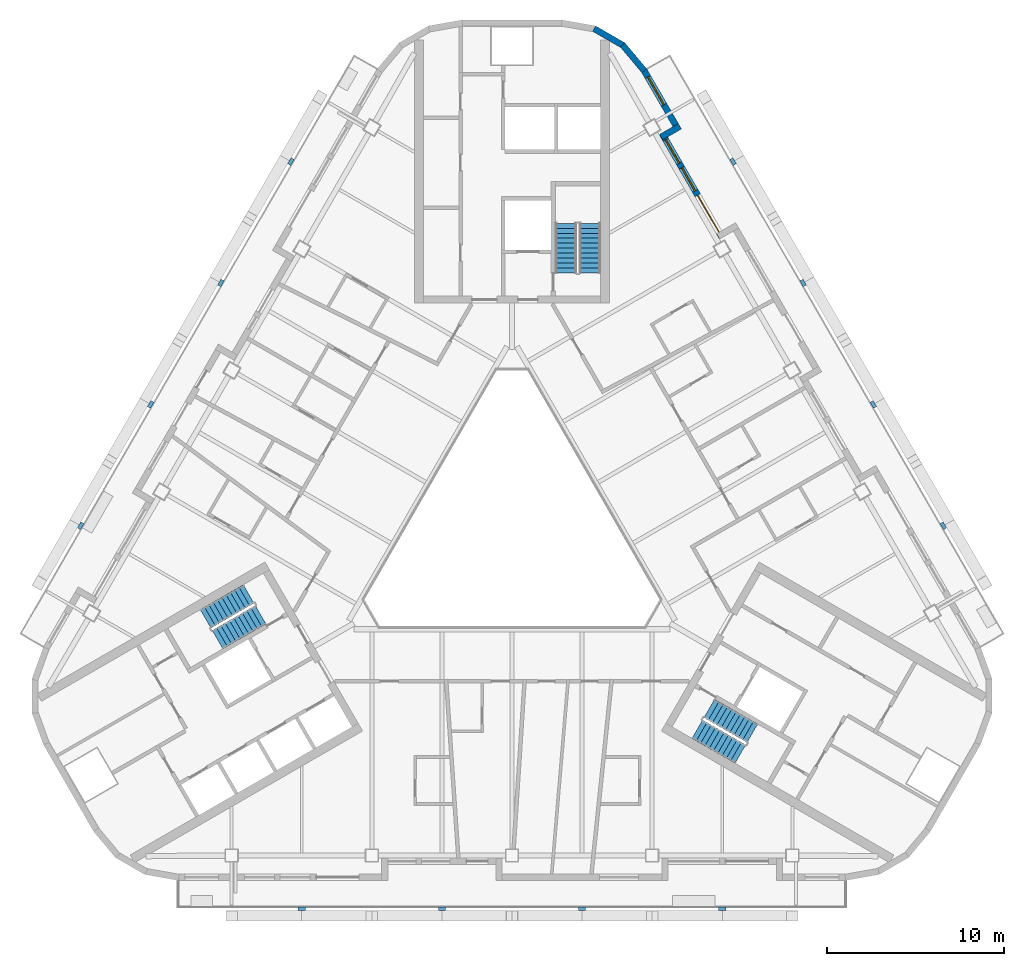
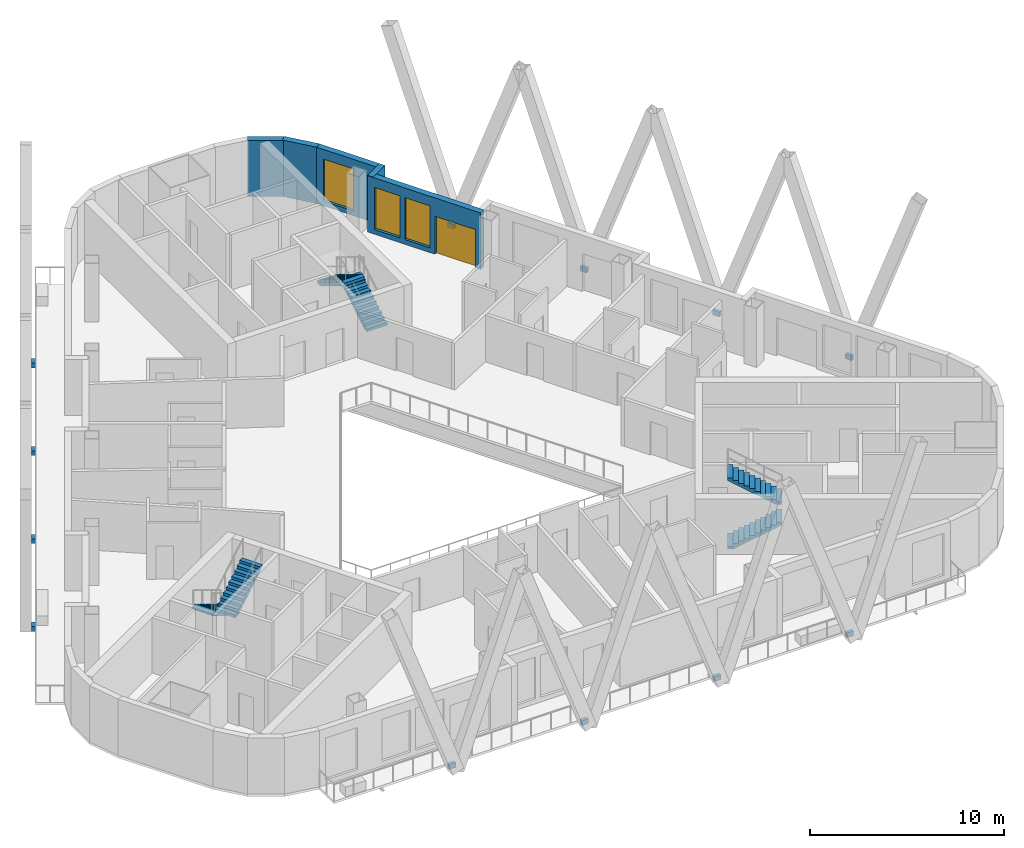
# One storey, part 8 of 14: 12 discrete accessories, 6 stair flights, 5 walls, 3 windows, 1 door, 4 openings, 3 elements without a shape of their own.
"""IFC4 building model written with IfcOpenShell, lengths in metres."""

from ifc_helpers import new_model, si_unit, direction, frame, frame_2d, origin, origin_2d, place, context, subcontext, project, spatial, polyline, rectangle, outline, extrude, material, layer, layer_set, type_object, element, fill, aggregate, save


model = new_model("IFC4")

# Units and contexts
model_context = context("Model", 3, precision=1e-05, world=origin(), true_north=direction((0.0, 1.0)))
body_context = subcontext(model_context, "Body", "Model", "MODEL_VIEW")
ifc_project = project(units=[si_unit("LENGTHUNIT", "METRE"), si_unit("AREAUNIT", "SQUARE_METRE"), si_unit("VOLUMEUNIT", "CUBIC_METRE"), si_unit("PLANEANGLEUNIT", "RADIAN"), si_unit("MASSUNIT", "GRAM", prefix="KILO")], contexts=[model_context])

# Site, building, storey
site_placement = place(None, origin())
site = spatial("IfcSite", under=ifc_project, at=site_placement, CompositionType="ELEMENT")
building_placement = place(site_placement, origin())
building = spatial("IfcBuilding", under=site, at=building_placement, Name="Apuvela Tower Hotel", CompositionType="ELEMENT")
storey_placement = place(building_placement, frame((0.0, 0.0, 202.10009765625)))
storey = spatial("IfcBuildingStorey", under=building, at=storey_placement, Name="L49", CompositionType="ELEMENT", Elevation=202.10009765625)

# Wall, openings, door, windows
ifc_material_1 = material(Name="Concrete C40/50, dark pigmented precast panel", Category="concrete")
ifc_layer = layer(ifc_material_1, 0.35009765625)
ifc_layer_set = layer_set([ifc_layer], Name="ENV-WALL-350")
wall_type = type_object("IfcWallType", Name="ENV-WALL-350", PredefinedType="SOLIDWALL", material=ifc_layer_set)
wall_1_placement = place(storey_placement, frame((11.8291015625, 16.621337890625, 0.0), z_axis=(0.0, 0.0, 1.0), x_axis=(-0.500003597184, 0.866023326939, 0.0)))
wall_1 = element("IfcWall", 1, at=wall_1_placement, inside=storey, type_object=wall_type, Name="External wall L49-39", PredefinedType="SOLIDWALL", context=body_context, shape_type="SweptSolid", body=[
    extrude(rectangle(XDim=6.740234375, YDim=0.35009765625, at=frame_2d((3.3701171875, 0.0))), origin(), (0.0, 0.0, 1.0), 3.5498046875),
])
opening_1_placement = place(wall_1_placement, frame((0.320068359375, 0.0, 0.0)))
opening_1 = element("IfcOpeningElement", 2, at=opening_1_placement, cuts=wall_1, Name="Opening BD24", PredefinedType="OPENING", context=body_context, shape_type="SweptSolid", body=[
    extrude(rectangle(XDim=2.39990234375, YDim=2.39990234375, at=frame_2d((1.199951171875, 1.199951171875))), frame((0.0, 0.18505859375, 0.0), z_axis=(0.0, -1.0, 0.0), x_axis=(1.0, 0.0, 0.0)), (0.0, 0.0, 1.0), 0.3701171875),
])
opening_2_placement = place(wall_1_placement, frame((3.02001953125, 0.0, 0.300048828125)))
opening_2 = element("IfcOpeningElement", 3, at=opening_2_placement, cuts=wall_1, Name="Opening WN15", PredefinedType="OPENING", context=body_context, shape_type="SweptSolid", body=[
    extrude(rectangle(XDim=1.5, YDim=2.64990234375, at=frame_2d((0.75, 1.324951171875))), frame((0.0, 0.18505859375, 0.0), z_axis=(0.0, -1.0, 0.0), x_axis=(1.0, 0.0, 0.0)), (0.0, 0.0, 1.0), 0.3701171875),
])
opening_3_placement = place(wall_1_placement, frame((4.820068359375, 0.0, 0.300048828125)))
opening_3 = element("IfcOpeningElement", 4, at=opening_3_placement, cuts=wall_1, Name="Opening WN15", PredefinedType="OPENING", context=body_context, shape_type="SweptSolid", body=[
    extrude(rectangle(XDim=1.5, YDim=2.64990234375, at=frame_2d((0.75, 1.324951171875))), frame((0.0, 0.18505859375, 0.0), z_axis=(0.0, -1.0, 0.0), x_axis=(1.0, 0.0, 0.0)), (0.0, 0.0, 1.0), 0.3701171875),
])
ifc_material_2 = material(Name="Aluminium 6063-T6, dark bronze anodised frame with dark tinted laminated glass", Category="aluminium")
door_type = type_object("IfcDoorType", Name="ENV-DOOR-BALCONY-2400x2400", OperationType="SLIDING_TO_LEFT", PredefinedType="DOOR", material=ifc_material_2)
door_placement = place(opening_1_placement, frame((2.39990234375, 0.0, 0.0), z_axis=(0.0, 0.0, 1.0), x_axis=(-1.0, 0.0, 0.0)))
door = element("IfcDoor", 5, at=door_placement, inside=storey, type_object=door_type, Name="Balcony door BD24", OperationType="SLIDING_TO_LEFT", OverallHeight=2.39990234375, OverallWidth=2.39990234375, PredefinedType="DOOR", context=body_context, shape_type="SweptSolid", body=[
    extrude(rectangle(XDim=2.39990234375, YDim=2.39990234375, at=frame_2d((1.199951171875, 1.199951171875))), frame((0.0, 0.02490234375, 0.0), z_axis=(0.0, -1.0, 0.0), x_axis=(1.0, 0.0, 0.0)), (0.0, 0.0, 1.0), 0.050048828125),
])
fill(opening_1, door)
ifc_material_3 = material(Name="Glass, dark tinted laminated insulated glazing unit", Category="glass")
window_type_1 = type_object("IfcWindowType", Name="ENV-WIN-1500x2650", PartitioningType="SINGLE_PANEL", PredefinedType="WINDOW", material=ifc_material_3)
window_1_placement = place(opening_2_placement, origin())
window_1 = element("IfcWindow", 6, at=window_1_placement, inside=storey, type_object=window_type_1, Name="Window WN15", OverallHeight=2.64990234375, OverallWidth=1.5, PartitioningType="SINGLE_PANEL", PredefinedType="WINDOW", context=body_context, shape_type="SweptSolid", body=[
    extrude(rectangle(XDim=1.5, YDim=2.64990234375, at=frame_2d((0.75, 1.324951171875))), frame((0.0, 0.030029296875, 0.0), z_axis=(0.0, -1.0, 0.0), x_axis=(1.0, 0.0, 0.0)), (0.0, 0.0, 1.0), 0.06005859375),
])
fill(opening_2, window_1)
window_2_placement = place(opening_3_placement, origin())
window_2 = element("IfcWindow", 7, at=window_2_placement, inside=storey, type_object=window_type_1, Name="Window WN15", OverallHeight=2.64990234375, OverallWidth=1.5, PartitioningType="SINGLE_PANEL", PredefinedType="WINDOW", context=body_context, shape_type="SweptSolid", body=[
    extrude(rectangle(XDim=1.5, YDim=2.64990234375, at=frame_2d((0.75, 1.324951171875))), frame((0.0, 0.030029296875, 0.0), z_axis=(0.0, -1.0, 0.0), x_axis=(1.0, 0.0, 0.0)), (0.0, 0.0, 1.0), 0.06005859375),
])
fill(opening_3, window_2)

# Wall
wall_2_placement = place(storey_placement, frame((8.406005859375, 22.26025390625, 0.0), z_axis=(0.0, 0.0, 1.0), x_axis=(0.865955602162, 0.500120880472, 0.0)))
element("IfcWall", 8, at=wall_2_placement, inside=storey, type_object=wall_type, Name="External wall L49-40", PredefinedType="SOLIDWALL", context=body_context, shape_type="SweptSolid", body=[
    extrude(rectangle(XDim=1.219970703125, YDim=0.35009765625, at=frame_2d((0.60986328125, 0.0))), origin(), (0.0, 0.0, 1.0), 3.5498046875),
])

# Wall, opening, window
wall_3_placement = place(storey_placement, frame((9.3984375, 22.631103515625, 0.0), z_axis=(0.0, 0.0, 1.0), x_axis=(-0.499954521343, 0.866051659307, 0.0)))
wall_3 = element("IfcWall", 9, at=wall_3_placement, inside=storey, type_object=wall_type, Name="External wall L49-41", PredefinedType="SOLIDWALL", context=body_context, shape_type="SweptSolid", body=[
    extrude(rectangle(XDim=3.915771484375, YDim=0.35009765625, at=frame_2d((1.9580078125, 0.0))), origin(), (0.0, 0.0, 1.0), 3.5498046875),
])
opening_4_placement = place(wall_3_placement, frame((1.67626953125, 0.0, 0.300048828125)))
opening_4 = element("IfcOpeningElement", 10, at=opening_4_placement, cuts=wall_3, Name="Opening WN18", PredefinedType="OPENING", context=body_context, shape_type="SweptSolid", body=[
    extrude(rectangle(XDim=1.800048828125, YDim=2.64990234375, at=frame_2d((0.89990234375, 1.324951171875))), frame((0.0, 0.18505859375, 0.0), z_axis=(0.0, -1.0, 0.0), x_axis=(1.0, 0.0, 0.0)), (0.0, 0.0, 1.0), 0.3701171875),
])
window_type_2 = type_object("IfcWindowType", Name="ENV-WIN-1800x2650", PartitioningType="SINGLE_PANEL", PredefinedType="WINDOW", material=ifc_material_3)
window_3_placement = place(opening_4_placement, origin())
window_3 = element("IfcWindow", 11, at=window_3_placement, inside=storey, type_object=window_type_2, Name="Window WN18", OverallHeight=2.64990234375, OverallWidth=1.800048828125, PartitioningType="SINGLE_PANEL", PredefinedType="WINDOW", context=body_context, shape_type="SweptSolid", body=[
    extrude(rectangle(XDim=1.800048828125, YDim=2.64990234375, at=frame_2d((0.89990234375, 1.324951171875))), frame((0.0, 0.030029296875, 0.0), z_axis=(0.0, -1.0, 0.0), x_axis=(1.0, 0.0, 0.0)), (0.0, 0.0, 1.0), 0.06005859375),
])
fill(opening_4, window_3)

# Walls
wall_4_placement = place(storey_placement, frame((7.4580078125, 25.99755859375, 0.0), z_axis=(0.0, 0.0, 1.0), x_axis=(-0.642808304945, 0.766027077259, 0.0)))
element("IfcWall", 12, at=wall_4_placement, inside=storey, type_object=wall_type, Name="External wall L49-42", PredefinedType="SOLIDWALL", context=body_context, shape_type="SweptSolid", body=[
    extrude(rectangle(XDim=1.909912109375, YDim=0.35009765625, at=frame_2d((0.955078125, 0.0))), origin(), (0.0, 0.0, 1.0), 3.5498046875),
])
wall_5_placement = place(storey_placement, frame((6.27685546875, 27.421630859375, 0.0), z_axis=(0.0, 0.0, 1.0), x_axis=(-0.866032345022, 0.499987977232, 0.0)))
element("IfcWall", 13, at=wall_5_placement, inside=storey, type_object=wall_type, Name="External wall L49-43", PredefinedType="SOLIDWALL", context=body_context, shape_type="SweptSolid", body=[
    extrude(rectangle(XDim=1.91015625, YDim=0.35009765625, at=frame_2d((0.955078125, 0.0))), origin(), (0.0, 0.0, 1.0), 3.5498046875),
])

# Stair, stair flights
ifc_material_4 = material(Name="Concrete C50/60", Category="concrete")
stair_type = type_object("IfcStairType", Name="COR-STAIR-22R", PredefinedType="HALF_TURN_STAIR", material=ifc_material_4)
stair_1_placement = place(storey_placement, origin())
stair_1 = element("IfcStair", 14, at=stair_1_placement, inside=storey, type_object=stair_type, Name="L49 Exit stair ST1", PredefinedType="HALF_TURN_STAIR")
stair_flight_type = type_object("IfcStairFlightType", Name="COR-FLIGHT-11R", PredefinedType="STRAIGHT", material=ifc_material_4)
stair_flight_1_placement = place(storey_placement, frame((4.39990234375, 14.60009765625, 0.0), z_axis=(0.0, 0.0, 1.0), x_axis=(0.0, 1.0, 0.0)))
stair_flight_1 = element("IfcStairFlight", 15, at=stair_flight_1_placement, type_object=stair_flight_type, Name="ST1 flight 1", NumberOfRisers=11, NumberOfTreads=10, PredefinedType="STRAIGHT", RiserHeight=0.168181818, TreadLength=0.28, context=body_context, shape_type="SweptSolid", body=[
    extrude(outline(polyline([(0.0, 0.0), (0.0, 0.168212890625), (0.280029296875, 0.168212890625), (0.280029296875, 0.33642578125), (0.56005859375, 0.33642578125), (0.56005859375, 0.504638671875), (0.840087890625, 0.504638671875), (0.840087890625, 0.672607421875), (1.1201171875, 0.672607421875), (1.1201171875, 0.8408203125), (1.39990234375, 0.8408203125), (1.39990234375, 1.009033203125), (1.679931640625, 1.009033203125), (1.679931640625, 1.17724609375), (1.9599609375, 1.17724609375), (1.9599609375, 1.345458984375), (2.239990234375, 1.345458984375), (2.239990234375, 1.513671875), (2.52001953125, 1.513671875), (2.52001953125, 1.681884765625), (2.800048828125, 1.681884765625), (2.800048828125, 1.85009765625), (2.800048828125, 1.5068359375), (0.291015625, 0.0), (0.0, 0.0)])), frame((0.0, 0.60009765625, 0.0), z_axis=(0.0, -1.0, 0.0), x_axis=(1.0, 0.0, 0.0)), (0.0, 0.0, 1.0), 1.199951171875),
])
stair_flight_2_placement = place(storey_placement, frame((3.050048828125, 17.39990234375, 1.849853515625), z_axis=(0.0, 0.0, 1.0), x_axis=(0.0, -1.0, 0.0)))
stair_flight_2 = element("IfcStairFlight", 16, at=stair_flight_2_placement, type_object=stair_flight_type, Name="ST1 flight 2", NumberOfRisers=11, NumberOfTreads=10, PredefinedType="STRAIGHT", RiserHeight=0.168181818, TreadLength=0.28, context=body_context, shape_type="SweptSolid", body=[
    extrude(outline(polyline([(0.0, 0.0), (0.0, 0.168212890625), (0.280029296875, 0.168212890625), (0.280029296875, 0.33642578125), (0.56005859375, 0.33642578125), (0.56005859375, 0.504638671875), (0.840087890625, 0.504638671875), (0.840087890625, 0.672607421875), (1.1201171875, 0.672607421875), (1.1201171875, 0.8408203125), (1.39990234375, 0.8408203125), (1.39990234375, 1.009033203125), (1.679931640625, 1.009033203125), (1.679931640625, 1.17724609375), (1.9599609375, 1.17724609375), (1.9599609375, 1.345458984375), (2.239990234375, 1.345458984375), (2.239990234375, 1.513671875), (2.52001953125, 1.513671875), (2.52001953125, 1.681884765625), (2.800048828125, 1.681884765625), (2.800048828125, 1.85009765625), (2.800048828125, 1.5068359375), (0.291015625, 0.0), (0.0, 0.0)])), frame((0.0, 0.60009765625, 0.0), z_axis=(0.0, -1.0, 0.0), x_axis=(1.0, 0.0, 0.0)), (0.0, 0.0, 1.0), 1.199951171875),
])
aggregate(stair_1, [stair_flight_1, stair_flight_2])

stair_2_placement = place(storey_placement, origin())
stair_2 = element("IfcStair", 17, at=stair_2_placement, inside=storey, type_object=stair_type, Name="L49 Exit stair ST2", PredefinedType="HALF_TURN_STAIR")
stair_flight_3_placement = place(storey_placement, frame((-14.843994140625, -3.489501953125, 0.0), z_axis=(0.0, 0.0, 1.0), x_axis=(-0.866025403784, -0.5, 0.0)))
stair_flight_3 = element("IfcStairFlight", 18, at=stair_flight_3_placement, type_object=stair_flight_type, Name="ST2 flight 1", NumberOfRisers=11, NumberOfTreads=10, PredefinedType="STRAIGHT", RiserHeight=0.168181818, TreadLength=0.28, context=body_context, shape_type="SweptSolid", body=[
    extrude(outline(polyline([(0.0, 0.0), (0.0, 0.168212890625), (0.280029296875, 0.168212890625), (0.280029296875, 0.33642578125), (0.56005859375, 0.33642578125), (0.56005859375, 0.504638671875), (0.840087890625, 0.504638671875), (0.840087890625, 0.672607421875), (1.1201171875, 0.672607421875), (1.1201171875, 0.8408203125), (1.39990234375, 0.8408203125), (1.39990234375, 1.009033203125), (1.679931640625, 1.009033203125), (1.679931640625, 1.17724609375), (1.9599609375, 1.17724609375), (1.9599609375, 1.345458984375), (2.239990234375, 1.345458984375), (2.239990234375, 1.513671875), (2.52001953125, 1.513671875), (2.52001953125, 1.681884765625), (2.800048828125, 1.681884765625), (2.800048828125, 1.85009765625), (2.800048828125, 1.5068359375), (0.291015625, 0.0), (0.0, 0.0)])), frame((0.0, 0.60009765625, 0.0), z_axis=(0.0, -1.0, 0.0), x_axis=(1.0, 0.0, 0.0)), (0.0, 0.0, 1.0), 1.199951171875),
])
stair_flight_4_placement = place(storey_placement, frame((-16.59375, -6.05859375, 1.849853515625), z_axis=(0.0, 0.0, 1.0), x_axis=(0.866025403784, 0.5, 0.0)))
stair_flight_4 = element("IfcStairFlight", 19, at=stair_flight_4_placement, type_object=stair_flight_type, Name="ST2 flight 2", NumberOfRisers=11, NumberOfTreads=10, PredefinedType="STRAIGHT", RiserHeight=0.168181818, TreadLength=0.28, context=body_context, shape_type="SweptSolid", body=[
    extrude(outline(polyline([(0.0, 0.0), (0.0, 0.168212890625), (0.280029296875, 0.168212890625), (0.280029296875, 0.33642578125), (0.56005859375, 0.33642578125), (0.56005859375, 0.504638671875), (0.840087890625, 0.504638671875), (0.840087890625, 0.672607421875), (1.1201171875, 0.672607421875), (1.1201171875, 0.8408203125), (1.39990234375, 0.8408203125), (1.39990234375, 1.009033203125), (1.679931640625, 1.009033203125), (1.679931640625, 1.17724609375), (1.9599609375, 1.17724609375), (1.9599609375, 1.345458984375), (2.239990234375, 1.345458984375), (2.239990234375, 1.513671875), (2.52001953125, 1.513671875), (2.52001953125, 1.681884765625), (2.800048828125, 1.681884765625), (2.800048828125, 1.85009765625), (2.800048828125, 1.5068359375), (0.291015625, 0.0), (0.0, 0.0)])), frame((0.0, 0.60009765625, 0.0), z_axis=(0.0, -1.0, 0.0), x_axis=(1.0, 0.0, 0.0)), (0.0, 0.0, 1.0), 1.199951171875),
])
aggregate(stair_2, [stair_flight_3, stair_flight_4])

stair_3_placement = place(storey_placement, origin())
stair_3 = element("IfcStair", 20, at=stair_3_placement, inside=storey, type_object=stair_type, Name="L49 Exit stair ST3", PredefinedType="HALF_TURN_STAIR")
stair_flight_5_placement = place(storey_placement, frame((10.444091796875, -11.110595703125, 0.0), z_axis=(0.0, 0.0, 1.0), x_axis=(0.866025403784, -0.5, 0.0)))
stair_flight_5 = element("IfcStairFlight", 21, at=stair_flight_5_placement, type_object=stair_flight_type, Name="ST3 flight 1", NumberOfRisers=11, NumberOfTreads=10, PredefinedType="STRAIGHT", RiserHeight=0.168181818, TreadLength=0.28, context=body_context, shape_type="SweptSolid", body=[
    extrude(outline(polyline([(0.0, 0.0), (0.0, 0.168212890625), (0.280029296875, 0.168212890625), (0.280029296875, 0.33642578125), (0.56005859375, 0.33642578125), (0.56005859375, 0.504638671875), (0.840087890625, 0.504638671875), (0.840087890625, 0.672607421875), (1.1201171875, 0.672607421875), (1.1201171875, 0.8408203125), (1.39990234375, 0.8408203125), (1.39990234375, 1.009033203125), (1.679931640625, 1.009033203125), (1.679931640625, 1.17724609375), (1.9599609375, 1.17724609375), (1.9599609375, 1.345458984375), (2.239990234375, 1.345458984375), (2.239990234375, 1.513671875), (2.52001953125, 1.513671875), (2.52001953125, 1.681884765625), (2.800048828125, 1.681884765625), (2.800048828125, 1.85009765625), (2.800048828125, 1.5068359375), (0.291015625, 0.0), (0.0, 0.0)])), frame((0.0, 0.60009765625, 0.0), z_axis=(0.0, -1.0, 0.0), x_axis=(1.0, 0.0, 0.0)), (0.0, 0.0, 1.0), 1.199951171875),
])
stair_flight_6_placement = place(storey_placement, frame((13.5439453125, -11.34130859375, 1.849853515625), z_axis=(0.0, 0.0, 1.0), x_axis=(-0.866025403784, 0.5, 0.0)))
stair_flight_6 = element("IfcStairFlight", 22, at=stair_flight_6_placement, type_object=stair_flight_type, Name="ST3 flight 2", NumberOfRisers=11, NumberOfTreads=10, PredefinedType="STRAIGHT", RiserHeight=0.168181818, TreadLength=0.28, context=body_context, shape_type="SweptSolid", body=[
    extrude(outline(polyline([(0.0, 0.0), (0.0, 0.168212890625), (0.280029296875, 0.168212890625), (0.280029296875, 0.33642578125), (0.56005859375, 0.33642578125), (0.56005859375, 0.504638671875), (0.840087890625, 0.504638671875), (0.840087890625, 0.672607421875), (1.1201171875, 0.672607421875), (1.1201171875, 0.8408203125), (1.39990234375, 0.8408203125), (1.39990234375, 1.009033203125), (1.679931640625, 1.009033203125), (1.679931640625, 1.17724609375), (1.9599609375, 1.17724609375), (1.9599609375, 1.345458984375), (2.239990234375, 1.345458984375), (2.239990234375, 1.513671875), (2.52001953125, 1.513671875), (2.52001953125, 1.681884765625), (2.800048828125, 1.681884765625), (2.800048828125, 1.85009765625), (2.800048828125, 1.5068359375), (0.291015625, 0.0), (0.0, 0.0)])), frame((0.0, 0.60009765625, 0.0), z_axis=(0.0, -1.0, 0.0), x_axis=(1.0, 0.0, 0.0)), (0.0, 0.0, 1.0), 1.199951171875),
])
aggregate(stair_3, [stair_flight_5, stair_flight_6])

# Discrete accessories
ifc_material_5 = material(Name="Steel S355, black paint system", Category="steel")
discrete_accessory_type = type_object("IfcDiscreteAccessoryType", Name="ENV-FIN-BRACKET", PredefinedType="BRACKET", material=ifc_material_5)
for number, where, z_axis, x_axis, name in (
    (23, (24.310791015625, 0.3525390625, -0.25), (0.0, 0.0, 1.0), (-0.5, 0.866025403784, 0.0), "Fin bracket NE92"),
    (24, (20.360595703125, 7.194091796875, -0.25), (0.0, 0.0, 1.0), (-0.5, 0.866025403784, 0.0), "Fin bracket NE93"),
    (25, (16.41064453125, 14.035888671875, -0.25), (0.0, 0.0, 1.0), (-0.5, 0.866025403784, 0.0), "Fin bracket NE94"),
    (26, (12.460693359375, 20.87744140625, -0.25), (0.0, 0.0, 1.0), (-0.5, 0.866025403784, 0.0), "Fin bracket NE95"),
    (27, (-12.460693359375, 20.87744140625, -0.25), (0.0, 0.0, 1.0), (-0.5, -0.866025403784, 0.0), "Fin bracket NW241"),
    (28, (-16.41064453125, 14.035888671875, -0.25), (0.0, 0.0, 1.0), (-0.5, -0.866025403784, 0.0), "Fin bracket NW242"),
    (29, (-20.360595703125, 7.194091796875, -0.25), (0.0, 0.0, 1.0), (-0.5, -0.866025403784, 0.0), "Fin bracket NW243"),
    (30, (-24.310791015625, 0.3525390625, -0.25), (0.0, 0.0, 1.0), (-0.5, -0.866025403784, 0.0), "Fin bracket NW244"),
    (31, (-11.85009765625, -21.22998046875, -0.25), (0.0, 0.0, 1.0), (1.0, 0.0, 0.0), "Fin bracket S391"),
    (32, (-3.949951171875, -21.22998046875, -0.25), (0.0, 0.0, 1.0), (1.0, 0.0, 0.0), "Fin bracket S392"),
    (33, (3.949951171875, -21.22998046875, -0.25), (0.0, 0.0, 1.0), (1.0, 0.0, 0.0), "Fin bracket S393"),
    (34, (11.85009765625, -21.22998046875, -0.25), (0.0, 0.0, 1.0), (1.0, 0.0, 0.0), "Fin bracket S394"),
):
    element("IfcDiscreteAccessory", number, at=place(storey_placement, frame(where, z_axis=z_axis, x_axis=x_axis)), inside=storey, type_object=discrete_accessory_type, Name=name, PredefinedType="BRACKET", context=body_context, shape_type="SweptSolid", body=[
        extrude(rectangle(XDim=0.39990234375, YDim=0.199951171875, at=origin_2d()), origin(), (0.0, 0.0, 1.0), 0.300048828125),
    ])

save(model, "model.ifc")
